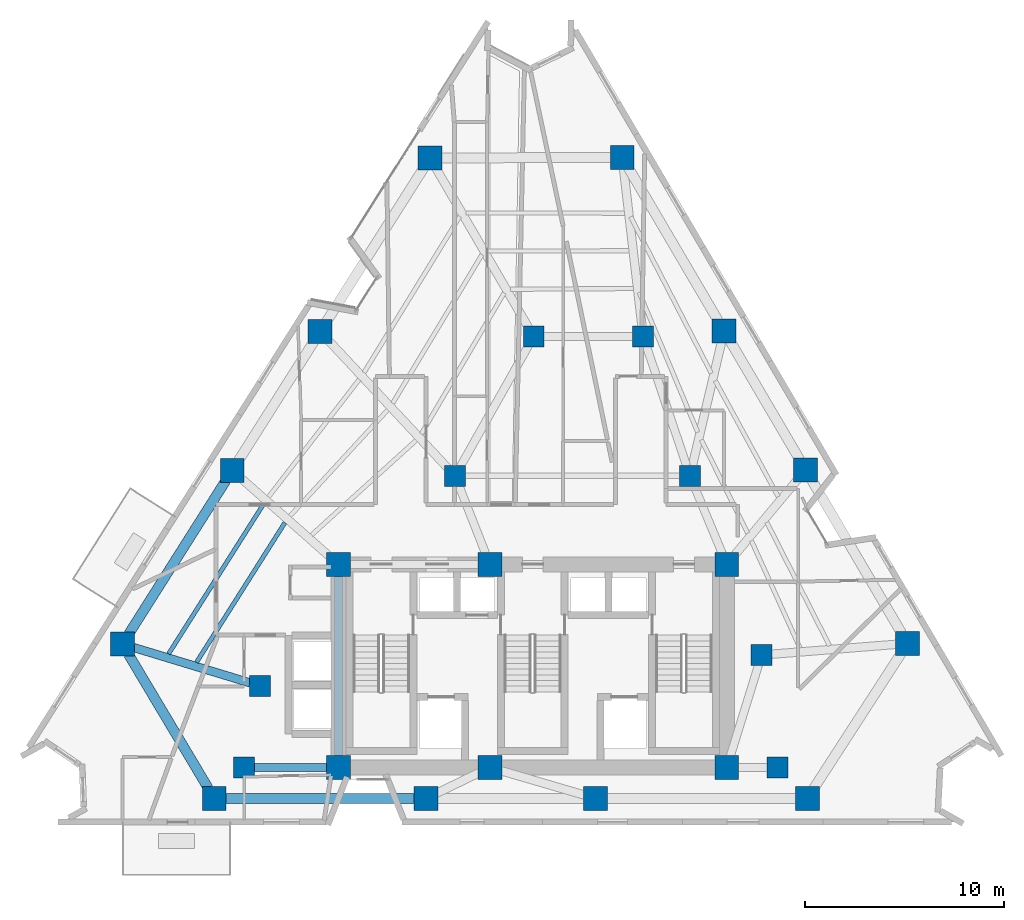
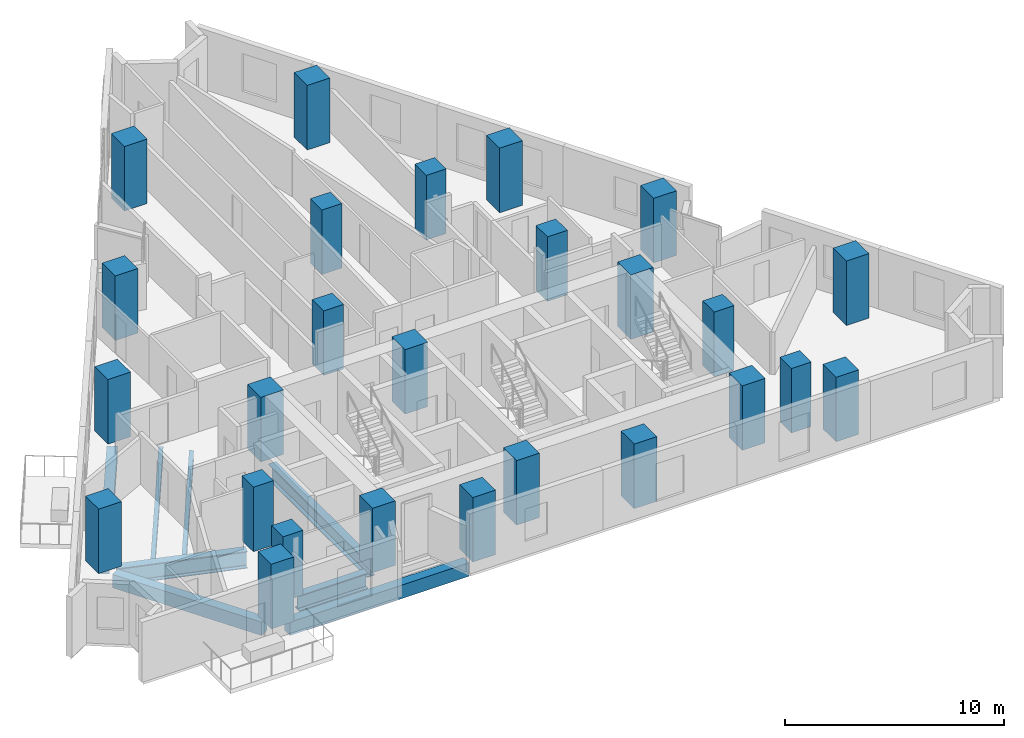
# One storey, part 1 of 12: 26 columns, 8 beams.
"""IFC4 building model written with IfcOpenShell, lengths in metres."""

from ifc_helpers import new_model, si_unit, direction, frame, origin, origin_2d, place, context, subcontext, project, spatial, rectangle, i_section, extrude, material, material_profile, profile_set, type_object, element, save


model = new_model("IFC4")

# Units and contexts
model_context = context("Model", 3, precision=1e-05, world=origin(), true_north=direction((0.0, 1.0)))
body_context = subcontext(model_context, "Body", "Model", "MODEL_VIEW")
ifc_project = project(units=[si_unit("LENGTHUNIT", "METRE"), si_unit("AREAUNIT", "SQUARE_METRE"), si_unit("VOLUMEUNIT", "CUBIC_METRE"), si_unit("PLANEANGLEUNIT", "RADIAN"), si_unit("MASSUNIT", "GRAM", prefix="KILO")], contexts=[model_context])

# Site, building, storey
site_placement = place(None, origin())
site = spatial("IfcSite", under=ifc_project, at=site_placement, CompositionType="ELEMENT")
building_placement = place(site_placement, origin())
building = spatial("IfcBuilding", under=site, at=building_placement, Name="Almagre Mirador Tower", CompositionType="ELEMENT")
storey_placement = place(building_placement, frame((0.0, 0.0, 121.199951171875)))
storey = spatial("IfcBuildingStorey", under=building, at=storey_placement, Name="L30", CompositionType="ELEMENT", Elevation=121.199951171875)

# Columns
ifc_material_1 = material(Name="Concrete C60/75", Category="concrete")
ifc_material_profile_1 = material_profile(ifc_material_1, rectangle(XDim=1.050048828125, YDim=1.050048828125, at=origin_2d()), Name="RC1050X1050")
ifc_profile_set_1 = profile_set([ifc_material_profile_1], Name="Concrete C60/75")
column_type_1 = type_object("IfcColumnType", Name="COL-RC1050", PredefinedType="COLUMN", material=ifc_profile_set_1)
for number, where, z_axis, x_axis, name in (
    (1, (22.800048828125, 4.550048828125, 0.0), (0.0, 0.0, 1.0), (1.0, 0.0, 0.0), "L30 interior transfer column MC1"),
    (2, (49.60009765625, 4.550048828125, 0.0), (0.0, 0.0, 1.0), (1.0, 0.0, 0.0), "L30 interior transfer column MC2"),
    (3, (48.800048828125, 10.199951171875, 0.0), (0.0, 0.0, 1.0), (1.0, 0.0, 0.0), "L30 interior transfer column MC3"),
    (4, (45.199951171875, 19.199951171875, 0.0), (0.0, 0.0, 1.0), (1.0, 0.0, 0.0), "L30 interior transfer column MC5"),
    (5, (42.85009765625, 26.199951171875, 0.0), (0.0, 0.0, 1.0), (1.0, 0.0, 0.0), "L30 interior transfer column MC6"),
    (6, (37.35009765625, 26.199951171875, 0.0), (0.0, 0.0, 1.0), (1.0, 0.0, 0.0), "L30 interior transfer column MC7"),
    (7, (33.39990234375, 19.199951171875, 0.0), (0.0, 0.0, 1.0), (1.0, 0.0, 0.0), "L30 interior transfer column MC8"),
    (8, (23.60009765625, 8.64990234375, 0.0), (0.0, 0.0, 1.0), (1.0, 0.0, 0.0), "L30 interior transfer column MC10"),
):
    element("IfcColumn", number, at=place(storey_placement, frame(where, z_axis=z_axis, x_axis=x_axis)), inside=storey, type_object=column_type_1, Name=name, PredefinedType="COLUMN", context=body_context, shape_type="SweptSolid", body=[
        extrude(rectangle(XDim=1.050048828125, YDim=1.050048828125, at=origin_2d()), origin(), (0.0, 0.0, 1.0), 3.60009765625),
    ])
ifc_material_2 = material(Name="Concrete C60/75", Category="concrete")
ifc_material_profile_2 = material_profile(ifc_material_2, rectangle(XDim=1.199951171875, YDim=1.199951171875, at=origin_2d()), Name="RC1200X1200")
ifc_profile_set_2 = profile_set([ifc_material_profile_2], Name="Concrete C60/75")
column_type_2 = type_object("IfcColumnType", Name="COL-RC1200", PredefinedType="COLUMN", material=ifc_profile_set_2)
for number, where, z_axis, x_axis, name in (
    (9, (27.550048828125, 4.550048828125, 0.0), (0.0, 0.0, 1.0), (1.0, 0.0, 0.0), "L30 core spine column CC1"),
    (10, (35.14990234375, 4.550048828125, 0.0), (0.0, 0.0, 1.0), (1.0, 0.0, 0.0), "L30 core spine column CC2"),
    (11, (47.050048828125, 4.550048828125, 0.0), (0.0, 0.0, 1.0), (1.0, 0.0, 0.0), "L30 core spine column CC3"),
    (12, (27.550048828125, 14.75, 0.0), (0.0, 0.0, 1.0), (1.0, 0.0, 0.0), "L30 core spine column CC4"),
    (13, (35.14990234375, 14.75, 0.0), (0.0, 0.0, 1.0), (1.0, 0.0, 0.0), "L30 core spine column CC5"),
    (14, (47.050048828125, 14.75, 0.0), (0.0, 0.0, 1.0), (1.0, 0.0, 0.0), "L30 core spine column CC6"),
    (15, (21.303955078125, 3.0, 0.0), (0.0, 0.0, 1.0), (1.0, 0.0, 0.0), "L30 perimeter column PC01"),
    (16, (31.944091796875, 3.0, 0.0), (0.0, 0.0, 1.0), (1.0, 0.0, 0.0), "L30 perimeter column PC02"),
    (17, (40.4560546875, 3.0, 0.0), (0.0, 0.0, 1.0), (1.0, 0.0, 0.0), "L30 perimeter column PC03"),
    (18, (51.095947265625, 3.0, 0.0), (0.0, 0.0, 1.0), (1.0, 0.0, 0.0), "L30 perimeter column PC04"),
    (19, (56.133056640625, 10.783935546875, 0.0), (0.0, 0.0, 1.0), (1.0, 0.0, 0.0), "L30 perimeter column PC05"),
    (20, (51.012939453125, 19.50390625, 0.0), (0.0, 0.0, 1.0), (1.0, 0.0, 0.0), "L30 perimeter column PC06"),
    (21, (46.9169921875, 26.47998046875, 0.0), (0.0, 0.0, 1.0), (1.0, 0.0, 0.0), "L30 perimeter column PC07"),
    (22, (41.797119140625, 35.199951171875, 0.0), (0.0, 0.0, 1.0), (1.0, 0.0, 0.0), "L30 perimeter column PC08"),
    (23, (32.14208984375, 35.166015625, 0.0), (0.0, 0.0, 1.0), (1.0, 0.0, 0.0), "L30 perimeter column PC09"),
    (24, (26.6220703125, 26.446044921875, 0.0), (0.0, 0.0, 1.0), (1.0, 0.0, 0.0), "L30 perimeter column PC10"),
    (25, (22.2060546875, 19.469970703125, 0.0), (0.0, 0.0, 1.0), (1.0, 0.0, 0.0), "L30 perimeter column PC11"),
    (26, (16.68603515625, 10.75, 0.0), (0.0, 0.0, 1.0), (1.0, 0.0, 0.0), "L30 perimeter column PC12"),
):
    element("IfcColumn", number, at=place(storey_placement, frame(where, z_axis=z_axis, x_axis=x_axis)), inside=storey, type_object=column_type_2, Name=name, PredefinedType="COLUMN", context=body_context, shape_type="SweptSolid", body=[
        extrude(rectangle(XDim=1.199951171875, YDim=1.199951171875, at=origin_2d()), origin(), (0.0, 0.0, 1.0), 3.60009765625),
    ])

# Beams
ifc_material_3 = material(Name="Steel ASTM A992 Grade 50", Category="steel")
ifc_material_profile_3 = material_profile(ifc_material_3, i_section(OverallWidth=0.214111328125, OverallDepth=0.549072265625, WebThickness=0.0146484375, FlangeThickness=0.023681640625, FilletRadius=0.01806640625, at=origin_2d()), Name="W21X93")
ifc_profile_set_3 = profile_set([ifc_material_profile_3], Name="Steel ASTM A992 Grade 50")
beam_type_1 = type_object("IfcBeamType", Name="BM-JST-W21X93", PredefinedType="JOIST", material=ifc_profile_set_3)
beam_1_placement = place(storey_placement, frame((23.786865234375, 17.794921875, -0.5244140625), z_axis=(-0.535495866199, -0.844537848343, 0.0), x_axis=(0.844537848343, -0.535495866199, 0.0)))
element("IfcBeam", 27, at=beam_1_placement, inside=storey, type_object=beam_type_1, Name="L30 secondary floor joist PC11-PC12.1", PredefinedType="JOIST", context=body_context, shape_type="SweptSolid", body=[
    extrude(i_section(OverallWidth=0.214111328125, OverallDepth=0.549072265625, WebThickness=0.0146484375, FlangeThickness=0.023681640625, FilletRadius=0.01806640625, at=origin_2d()), origin(), (0.0, 0.0, 1.0), 8.924560546875),
])
beam_2_placement = place(storey_placement, frame((24.853759765625, 16.852783203125, -0.5244140625), z_axis=(-0.534944431022, -0.844887244382, 0.0), x_axis=(0.844887244382, -0.534944431022, 0.0)))
element("IfcBeam", 28, at=beam_2_placement, inside=storey, type_object=beam_type_1, Name="L30 secondary floor joist PC11-PC12.2", PredefinedType="JOIST", context=body_context, shape_type="SweptSolid", body=[
    extrude(i_section(OverallWidth=0.214111328125, OverallDepth=0.549072265625, WebThickness=0.0146484375, FlangeThickness=0.023681640625, FilletRadius=0.01806640625, at=origin_2d()), origin(), (0.0, 0.0, 1.0), 8.309326171875),
])
ifc_material_4 = material(Name="Precast concrete C50/60", Category="concrete")
ifc_material_profile_4 = material_profile(ifc_material_4, rectangle(XDim=0.5, YDim=0.75, at=origin_2d()), Name="RC500X750")
ifc_profile_set_4 = profile_set([ifc_material_profile_4], Name="Precast concrete C50/60")
beam_type_2 = type_object("IfcBeamType", Name="BM-SPN-RC500X750", PredefinedType="SPANDREL", material=ifc_profile_set_4)
beam_3_placement = place(storey_placement, frame((21.904052734375, 3.0, -0.625), z_axis=(1.0, 0.0, 0.0), x_axis=(0.0, 1.0, 0.0)))
element("IfcBeam", 29, at=beam_3_placement, inside=storey, type_object=beam_type_2, Name="L30 perimeter spandrel beam PC01-PC02", PredefinedType="SPANDREL", context=body_context, shape_type="SweptSolid", body=[
    extrude(rectangle(XDim=0.5, YDim=0.75, at=origin_2d()), origin(), (0.0, 0.0, 1.0), 9.43994140625),
])
beam_4_placement = place(storey_placement, frame((21.885009765625, 18.962890625, -0.625), z_axis=(-0.534882027559, -0.844926752207, 0.0), x_axis=(0.844926752207, -0.534882027559, 0.0)))
element("IfcBeam", 30, at=beam_4_placement, inside=storey, type_object=beam_type_2, Name="L30 perimeter spandrel beam PC11-PC12", PredefinedType="SPANDREL", context=body_context, shape_type="SweptSolid", body=[
    extrude(rectangle(XDim=0.5, YDim=0.75, at=origin_2d()), origin(), (0.0, 0.0, 1.0), 9.1201171875),
])
beam_5_placement = place(storey_placement, frame((16.9931640625, 10.234619140625, -0.625), z_axis=(0.511872325073, -0.85906153611, 0.0), x_axis=(0.85906153611, 0.511872325073, 0.0)))
element("IfcBeam", 31, at=beam_5_placement, inside=storey, type_object=beam_type_2, Name="L30 perimeter spandrel beam PC12-PC01", PredefinedType="SPANDREL", context=body_context, shape_type="SweptSolid", body=[
    extrude(rectangle(XDim=0.5, YDim=0.75, at=origin_2d()), origin(), (0.0, 0.0, 1.0), 7.821533203125),
])
ifc_material_5 = material(Name="Steel ASTM A992 Grade 50", Category="steel")
ifc_material_profile_5 = material_profile(ifc_material_5, i_section(OverallWidth=0.404052734375, OverallDepth=0.884033203125, WebThickness=0.0244140625, FlangeThickness=0.0439453125, FilletRadius=0.02490234375, at=origin_2d()), Name="W33X291")
ifc_profile_set_5 = profile_set([ifc_material_profile_5], Name="Steel ASTM A992 Grade 50")
beam_type_3 = type_object("IfcBeamType", Name="BM-STL-W33X291", PredefinedType="BEAM", material=ifc_profile_set_5)
beam_6_placement = place(storey_placement, frame((27.550048828125, 5.14990234375, -0.69189453125), z_axis=(0.0, 1.0, 0.0), x_axis=(-1.0, 0.0, 0.0)))
element("IfcBeam", 32, at=beam_6_placement, inside=storey, type_object=beam_type_3, Name="L30 core tie girder CC1-CC4", PredefinedType="BEAM", context=body_context, shape_type="SweptSolid", body=[
    extrude(i_section(OverallWidth=0.404052734375, OverallDepth=0.884033203125, WebThickness=0.0244140625, FlangeThickness=0.0439453125, FilletRadius=0.02490234375, at=origin_2d()), origin(), (0.0, 0.0, 1.0), 9.0),
])
beam_7_placement = place(storey_placement, frame((23.324951171875, 4.550048828125, -0.69189453125), z_axis=(1.0, 0.0, 0.0), x_axis=(0.0, 1.0, 0.0)))
element("IfcBeam", 33, at=beam_7_placement, inside=storey, type_object=beam_type_3, Name="L30 core tie girder MC1-CC1", PredefinedType="BEAM", context=body_context, shape_type="SweptSolid", body=[
    extrude(i_section(OverallWidth=0.404052734375, OverallDepth=0.884033203125, WebThickness=0.0244140625, FlangeThickness=0.0439453125, FilletRadius=0.02490234375, at=origin_2d()), origin(), (0.0, 0.0, 1.0), 3.625),
])
ifc_material_6 = material(Name="Steel ASTM A992 Grade 50", Category="steel")
ifc_material_profile_6 = material_profile(ifc_material_6, i_section(OverallWidth=0.423095703125, OverallDepth=0.947998046875, WebThickness=0.02392578125, FlangeThickness=0.042724609375, FilletRadius=0.028076171875, at=origin_2d()), Name="W36X302")
ifc_profile_set_6 = profile_set([ifc_material_profile_6], Name="Steel ASTM A992 Grade 50")
beam_type_4 = type_object("IfcBeamType", Name="BM-STL-W36X302", PredefinedType="BEAM", material=ifc_profile_set_6)
beam_8_placement = place(storey_placement, frame((17.260009765625, 10.57568359375, -0.723876953125), z_axis=(0.95683269583, -0.290639281913, 0.0), x_axis=(0.290639281913, 0.95683269583, 0.0)))
element("IfcBeam", 34, at=beam_8_placement, inside=storey, type_object=beam_type_4, Name="L30 radial floor girder PC12-MC10", PredefinedType="BEAM", context=body_context, shape_type="SweptSolid", body=[
    extrude(i_section(OverallWidth=0.423095703125, OverallDepth=0.947998046875, WebThickness=0.02392578125, FlangeThickness=0.042724609375, FilletRadius=0.028076171875, at=origin_2d()), origin(), (0.0, 0.0, 1.0), 6.10107421875),
])

save(model, "model.ifc")
